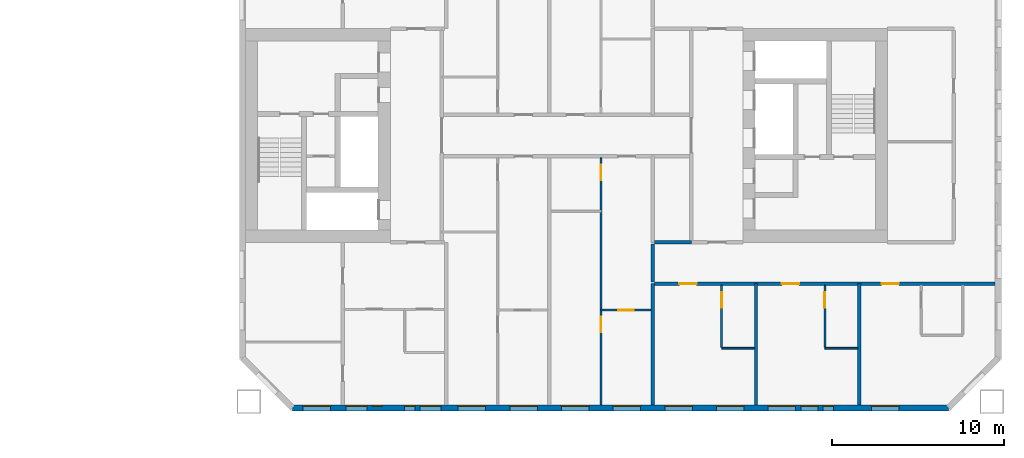
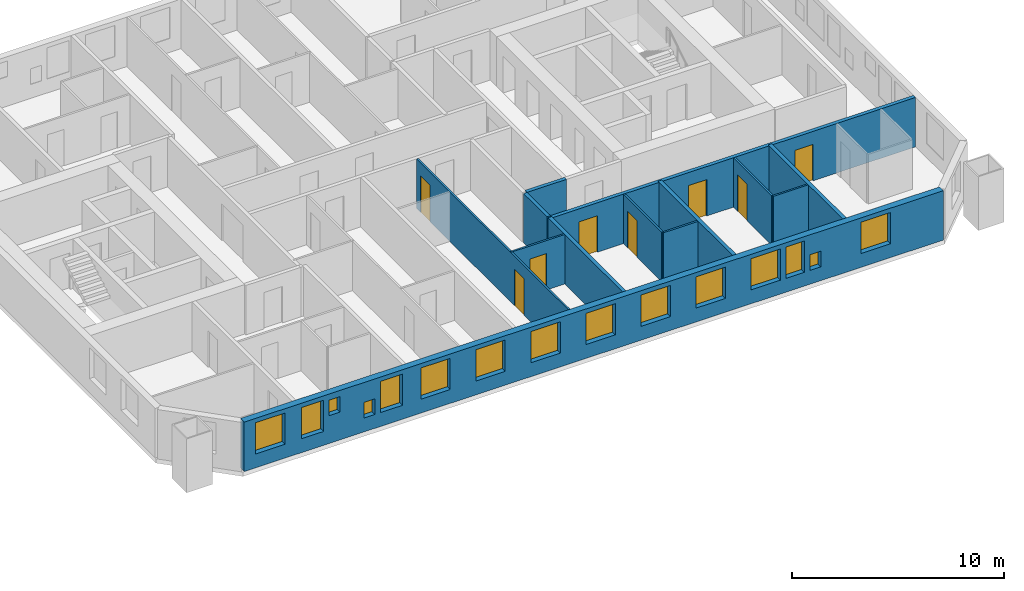
# One storey, part 11 of 17: 15 windows, 13 walls, 8 doors, 23 openings.
"""IFC4 building model written with IfcOpenShell, lengths in metres."""

from ifc_helpers import new_model, si_unit, direction, frame, frame_2d, origin, place, context, subcontext, project, spatial, rectangle, extrude, material, layer, layer_set, type_object, element, fill, save


model = new_model("IFC4")

# Units and contexts
model_context = context("Model", 3, precision=1e-05, world=origin(), true_north=direction((0.0, 1.0)))
body_context = subcontext(model_context, "Body", "Model", "MODEL_VIEW")
ifc_project = project(units=[si_unit("LENGTHUNIT", "METRE"), si_unit("AREAUNIT", "SQUARE_METRE"), si_unit("VOLUMEUNIT", "CUBIC_METRE"), si_unit("PLANEANGLEUNIT", "RADIAN"), si_unit("MASSUNIT", "GRAM", prefix="KILO")], contexts=[model_context])

# Site, building, storey
site_placement = place(None, origin())
site = spatial("IfcSite", under=ifc_project, at=site_placement, CompositionType="ELEMENT")
building_placement = place(site_placement, origin())
building = spatial("IfcBuilding", under=site, at=building_placement, Name="Tuart Gate Housing", CompositionType="ELEMENT")
storey_placement = place(building_placement, frame((0.0, 0.0, 74.699951171875)))
storey = spatial("IfcBuildingStorey", under=building, at=storey_placement, Name="L20", CompositionType="ELEMENT", Elevation=74.699951171875)

# Wall, openings, windows
ifc_material_1 = material(Name="Brick", Category="masonry")
ifc_layer_1 = layer(ifc_material_1, 0.360107421875)
ifc_layer_set_1 = layer_set([ifc_layer_1], Name="Brick pier and spandrel wall 360")
wall_type_1 = type_object("IfcWallType", Name="Brick pier and spandrel wall 360", PredefinedType="STANDARD", material=ifc_layer_set_1)
wall_1_placement = place(storey_placement, frame((134.07470703125, 54.179931640625, 0.0), z_axis=(0.0, 0.0, 1.0), x_axis=(1.0, 0.0, 0.0)))
wall_1 = element("IfcWall", 1, at=wall_1_placement, inside=storey, type_object=wall_type_1, Name="External wall B-S L20", PredefinedType="STANDARD", context=body_context, shape_type="SweptSolid", body=[
    extrude(rectangle(XDim=38.100830078125, YDim=0.360107421875, at=frame_2d((19.05029296875, 0.0))), origin(), (0.0, 0.0, 1.0), 2.85009765625),
])
opening_1_placement = place(wall_1_placement, frame((0.62548828125, 0.0, 0.800048828125)))
opening_1 = element("IfcOpeningElement", 2, at=opening_1_placement, cuts=wall_1, Name="Opening W1", PredefinedType="OPENING", context=body_context, shape_type="SweptSolid", body=[
    extrude(rectangle(XDim=1.60009765625, YDim=1.800048828125, at=frame_2d((0.800048828125, 0.89990234375))), frame((0.0, 0.18994140625, 0.0), z_axis=(0.0, -1.0, 0.0), x_axis=(1.0, 0.0, 0.0)), (0.0, 0.0, 1.0), 0.380126953125),
])
opening_2_placement = place(wall_1_placement, frame((3.12548828125, 0.0, 0.800048828125)))
opening_2 = element("IfcOpeningElement", 3, at=opening_2_placement, cuts=wall_1, Name="Opening W1B", PredefinedType="OPENING", context=body_context, shape_type="SweptSolid", body=[
    extrude(rectangle(XDim=1.199951171875, YDim=1.800048828125, at=frame_2d((0.60009765625, 0.89990234375))), frame((0.0, 0.18994140625, 0.0), z_axis=(0.0, -1.0, 0.0), x_axis=(1.0, 0.0, 0.0)), (0.0, 0.0, 1.0), 0.380126953125),
])
opening_3_placement = place(wall_1_placement, frame((4.62548828125, 0.0, 1.60009765625)))
opening_3 = element("IfcOpeningElement", 4, at=opening_3_placement, cuts=wall_1, Name="Opening W1W", PredefinedType="OPENING", context=body_context, shape_type="SweptSolid", body=[
    extrude(rectangle(XDim=0.60009765625, YDim=0.89990234375, at=frame_2d((0.300048828125, 0.449951171875))), frame((0.0, 0.18994140625, 0.0), z_axis=(0.0, -1.0, 0.0), x_axis=(1.0, 0.0, 0.0)), (0.0, 0.0, 1.0), 0.380126953125),
])
opening_4_placement = place(wall_1_placement, frame((9.62548828125, 0.0, 0.800048828125)))
opening_4 = element("IfcOpeningElement", 5, at=opening_4_placement, cuts=wall_1, Name="Opening W1", PredefinedType="OPENING", context=body_context, shape_type="SweptSolid", body=[
    extrude(rectangle(XDim=1.60009765625, YDim=1.800048828125, at=frame_2d((0.800048828125, 0.89990234375))), frame((0.0, 0.18994140625, 0.0), z_axis=(0.0, -1.0, 0.0), x_axis=(1.0, 0.0, 0.0)), (0.0, 0.0, 1.0), 0.380126953125),
])
opening_5_placement = place(wall_1_placement, frame((12.62548828125, 0.0, 0.800048828125)))
opening_5 = element("IfcOpeningElement", 6, at=opening_5_placement, cuts=wall_1, Name="Opening W1", PredefinedType="OPENING", context=body_context, shape_type="SweptSolid", body=[
    extrude(rectangle(XDim=1.60009765625, YDim=1.800048828125, at=frame_2d((0.800048828125, 0.89990234375))), frame((0.0, 0.18994140625, 0.0), z_axis=(0.0, -1.0, 0.0), x_axis=(1.0, 0.0, 0.0)), (0.0, 0.0, 1.0), 0.380126953125),
])
opening_6_placement = place(wall_1_placement, frame((15.62548828125, 0.0, 0.800048828125)))
opening_6 = element("IfcOpeningElement", 7, at=opening_6_placement, cuts=wall_1, Name="Opening W1", PredefinedType="OPENING", context=body_context, shape_type="SweptSolid", body=[
    extrude(rectangle(XDim=1.60009765625, YDim=1.800048828125, at=frame_2d((0.800048828125, 0.89990234375))), frame((0.0, 0.18994140625, 0.0), z_axis=(0.0, -1.0, 0.0), x_axis=(1.0, 0.0, 0.0)), (0.0, 0.0, 1.0), 0.380126953125),
])
opening_7_placement = place(wall_1_placement, frame((18.62548828125, 0.0, 0.800048828125)))
opening_7 = element("IfcOpeningElement", 8, at=opening_7_placement, cuts=wall_1, Name="Opening W1", PredefinedType="OPENING", context=body_context, shape_type="SweptSolid", body=[
    extrude(rectangle(XDim=1.60009765625, YDim=1.800048828125, at=frame_2d((0.800048828125, 0.89990234375))), frame((0.0, 0.18994140625, 0.0), z_axis=(0.0, -1.0, 0.0), x_axis=(1.0, 0.0, 0.0)), (0.0, 0.0, 1.0), 0.380126953125),
])
opening_8_placement = place(wall_1_placement, frame((21.62548828125, 0.0, 0.800048828125)))
opening_8 = element("IfcOpeningElement", 9, at=opening_8_placement, cuts=wall_1, Name="Opening W1", PredefinedType="OPENING", context=body_context, shape_type="SweptSolid", body=[
    extrude(rectangle(XDim=1.60009765625, YDim=1.800048828125, at=frame_2d((0.800048828125, 0.89990234375))), frame((0.0, 0.18994140625, 0.0), z_axis=(0.0, -1.0, 0.0), x_axis=(1.0, 0.0, 0.0)), (0.0, 0.0, 1.0), 0.380126953125),
])
opening_9_placement = place(wall_1_placement, frame((24.62548828125, 0.0, 0.800048828125)))
opening_9 = element("IfcOpeningElement", 10, at=opening_9_placement, cuts=wall_1, Name="Opening W1", PredefinedType="OPENING", context=body_context, shape_type="SweptSolid", body=[
    extrude(rectangle(XDim=1.60009765625, YDim=1.800048828125, at=frame_2d((0.800048828125, 0.89990234375))), frame((0.0, 0.18994140625, 0.0), z_axis=(0.0, -1.0, 0.0), x_axis=(1.0, 0.0, 0.0)), (0.0, 0.0, 1.0), 0.380126953125),
])
opening_10_placement = place(wall_1_placement, frame((27.62548828125, 0.0, 0.800048828125)))
opening_10 = element("IfcOpeningElement", 11, at=opening_10_placement, cuts=wall_1, Name="Opening W1", PredefinedType="OPENING", context=body_context, shape_type="SweptSolid", body=[
    extrude(rectangle(XDim=1.60009765625, YDim=1.800048828125, at=frame_2d((0.800048828125, 0.89990234375))), frame((0.0, 0.18994140625, 0.0), z_axis=(0.0, -1.0, 0.0), x_axis=(1.0, 0.0, 0.0)), (0.0, 0.0, 1.0), 0.380126953125),
])
opening_11_placement = place(wall_1_placement, frame((29.525390625, 0.0, 0.800048828125)))
opening_11 = element("IfcOpeningElement", 12, at=opening_11_placement, cuts=wall_1, Name="Opening W1C", PredefinedType="OPENING", context=body_context, shape_type="SweptSolid", body=[
    extrude(rectangle(XDim=1.0, YDim=1.800048828125, at=frame_2d((0.5, 0.89990234375))), frame((0.0, 0.18994140625, 0.0), z_axis=(0.0, -1.0, 0.0), x_axis=(1.0, 0.0, 0.0)), (0.0, 0.0, 1.0), 0.380126953125),
])
opening_12_placement = place(wall_1_placement, frame((33.62548828125, 0.0, 0.800048828125)))
opening_12 = element("IfcOpeningElement", 13, at=opening_12_placement, cuts=wall_1, Name="Opening W1", PredefinedType="OPENING", context=body_context, shape_type="SweptSolid", body=[
    extrude(rectangle(XDim=1.60009765625, YDim=1.800048828125, at=frame_2d((0.800048828125, 0.89990234375))), frame((0.0, 0.18994140625, 0.0), z_axis=(0.0, -1.0, 0.0), x_axis=(1.0, 0.0, 0.0)), (0.0, 0.0, 1.0), 0.380126953125),
])
opening_13_placement = place(wall_1_placement, frame((6.525390625, 0.0, 0.800048828125)))
opening_13 = element("IfcOpeningElement", 14, at=opening_13_placement, cuts=wall_1, Name="Opening W1W", PredefinedType="OPENING", context=body_context, shape_type="SweptSolid", body=[
    extrude(rectangle(XDim=0.60009765625, YDim=0.89990234375, at=frame_2d((0.300048828125, 0.449951171875))), frame((0.0, 0.18994140625, 0.0), z_axis=(0.0, -1.0, 0.0), x_axis=(1.0, 0.0, 0.0)), (0.0, 0.0, 1.0), 0.380126953125),
])
opening_14_placement = place(wall_1_placement, frame((7.42529296875, 0.0, 0.800048828125)))
opening_14 = element("IfcOpeningElement", 15, at=opening_14_placement, cuts=wall_1, Name="Opening W1B", PredefinedType="OPENING", context=body_context, shape_type="SweptSolid", body=[
    extrude(rectangle(XDim=1.199951171875, YDim=1.800048828125, at=frame_2d((0.60009765625, 0.89990234375))), frame((0.0, 0.18994140625, 0.0), z_axis=(0.0, -1.0, 0.0), x_axis=(1.0, 0.0, 0.0)), (0.0, 0.0, 1.0), 0.380126953125),
])
opening_15_placement = place(wall_1_placement, frame((30.825439453125, 0.0, 0.800048828125)))
opening_15 = element("IfcOpeningElement", 16, at=opening_15_placement, cuts=wall_1, Name="Opening W1W", PredefinedType="OPENING", context=body_context, shape_type="SweptSolid", body=[
    extrude(rectangle(XDim=0.60009765625, YDim=0.89990234375, at=frame_2d((0.300048828125, 0.449951171875))), frame((0.0, 0.18994140625, 0.0), z_axis=(0.0, -1.0, 0.0), x_axis=(1.0, 0.0, 0.0)), (0.0, 0.0, 1.0), 0.380126953125),
])
ifc_material_2 = material(Name="Aluminium frame with clear glass", Category="aluminium")
window_type_1 = type_object("IfcWindowType", Name="Punched window 1000 x 1800", PartitioningType="SINGLE_PANEL", PredefinedType="WINDOW", material=ifc_material_2)
window_1_placement = place(opening_11_placement, origin())
window_1 = element("IfcWindow", 17, at=window_1_placement, inside=storey, type_object=window_type_1, Name="Window W1C", OverallHeight=1.800048828125, OverallWidth=1.0, PartitioningType="SINGLE_PANEL", PredefinedType="WINDOW", context=body_context, shape_type="SweptSolid", body=[
    extrude(rectangle(XDim=1.0, YDim=1.800048828125, at=frame_2d((0.5, 0.89990234375))), frame((0.0, 0.150146484375, 0.0), z_axis=(0.0, -1.0, 0.0), x_axis=(1.0, 0.0, 0.0)), (0.0, 0.0, 1.0), 0.06005859375),
])
fill(opening_11, window_1)
ifc_material_3 = material(Name="Aluminium frame with clear glass", Category="aluminium")
window_type_2 = type_object("IfcWindowType", Name="Punched window 1200 x 1800", PartitioningType="SINGLE_PANEL", PredefinedType="WINDOW", material=ifc_material_3)
window_2_placement = place(opening_2_placement, origin())
window_2 = element("IfcWindow", 18, at=window_2_placement, inside=storey, type_object=window_type_2, Name="Window W1B", OverallHeight=1.800048828125, OverallWidth=1.199951171875, PartitioningType="SINGLE_PANEL", PredefinedType="WINDOW", context=body_context, shape_type="SweptSolid", body=[
    extrude(rectangle(XDim=1.199951171875, YDim=1.800048828125, at=frame_2d((0.60009765625, 0.89990234375))), frame((0.0, 0.150146484375, 0.0), z_axis=(0.0, -1.0, 0.0), x_axis=(1.0, 0.0, 0.0)), (0.0, 0.0, 1.0), 0.06005859375),
])
fill(opening_2, window_2)
window_3_placement = place(opening_14_placement, origin())
window_3 = element("IfcWindow", 19, at=window_3_placement, inside=storey, type_object=window_type_2, Name="Window W1B", OverallHeight=1.800048828125, OverallWidth=1.199951171875, PartitioningType="SINGLE_PANEL", PredefinedType="WINDOW", context=body_context, shape_type="SweptSolid", body=[
    extrude(rectangle(XDim=1.199951171875, YDim=1.800048828125, at=frame_2d((0.60009765625, 0.89990234375))), frame((0.0, 0.150146484375, 0.0), z_axis=(0.0, -1.0, 0.0), x_axis=(1.0, 0.0, 0.0)), (0.0, 0.0, 1.0), 0.06005859375),
])
fill(opening_14, window_3)
ifc_material_4 = material(Name="Aluminium frame with clear glass", Category="aluminium")
window_type_3 = type_object("IfcWindowType", Name="Punched window 1600 x 1800", PartitioningType="SINGLE_PANEL", PredefinedType="WINDOW", material=ifc_material_4)
window_4_placement = place(opening_1_placement, origin())
window_4 = element("IfcWindow", 20, at=window_4_placement, inside=storey, type_object=window_type_3, Name="Window W1", OverallHeight=1.800048828125, OverallWidth=1.60009765625, PartitioningType="SINGLE_PANEL", PredefinedType="WINDOW", context=body_context, shape_type="SweptSolid", body=[
    extrude(rectangle(XDim=1.60009765625, YDim=1.800048828125, at=frame_2d((0.800048828125, 0.89990234375))), frame((0.0, 0.150146484375, 0.0), z_axis=(0.0, -1.0, 0.0), x_axis=(1.0, 0.0, 0.0)), (0.0, 0.0, 1.0), 0.06005859375),
])
fill(opening_1, window_4)
window_5_placement = place(opening_4_placement, origin())
window_5 = element("IfcWindow", 21, at=window_5_placement, inside=storey, type_object=window_type_3, Name="Window W1", OverallHeight=1.800048828125, OverallWidth=1.60009765625, PartitioningType="SINGLE_PANEL", PredefinedType="WINDOW", context=body_context, shape_type="SweptSolid", body=[
    extrude(rectangle(XDim=1.60009765625, YDim=1.800048828125, at=frame_2d((0.800048828125, 0.89990234375))), frame((0.0, 0.150146484375, 0.0), z_axis=(0.0, -1.0, 0.0), x_axis=(1.0, 0.0, 0.0)), (0.0, 0.0, 1.0), 0.06005859375),
])
fill(opening_4, window_5)
window_6_placement = place(opening_5_placement, origin())
window_6 = element("IfcWindow", 22, at=window_6_placement, inside=storey, type_object=window_type_3, Name="Window W1", OverallHeight=1.800048828125, OverallWidth=1.60009765625, PartitioningType="SINGLE_PANEL", PredefinedType="WINDOW", context=body_context, shape_type="SweptSolid", body=[
    extrude(rectangle(XDim=1.60009765625, YDim=1.800048828125, at=frame_2d((0.800048828125, 0.89990234375))), frame((0.0, 0.150146484375, 0.0), z_axis=(0.0, -1.0, 0.0), x_axis=(1.0, 0.0, 0.0)), (0.0, 0.0, 1.0), 0.06005859375),
])
fill(opening_5, window_6)
window_7_placement = place(opening_6_placement, origin())
window_7 = element("IfcWindow", 23, at=window_7_placement, inside=storey, type_object=window_type_3, Name="Window W1", OverallHeight=1.800048828125, OverallWidth=1.60009765625, PartitioningType="SINGLE_PANEL", PredefinedType="WINDOW", context=body_context, shape_type="SweptSolid", body=[
    extrude(rectangle(XDim=1.60009765625, YDim=1.800048828125, at=frame_2d((0.800048828125, 0.89990234375))), frame((0.0, 0.150146484375, 0.0), z_axis=(0.0, -1.0, 0.0), x_axis=(1.0, 0.0, 0.0)), (0.0, 0.0, 1.0), 0.06005859375),
])
fill(opening_6, window_7)
window_8_placement = place(opening_7_placement, origin())
window_8 = element("IfcWindow", 24, at=window_8_placement, inside=storey, type_object=window_type_3, Name="Window W1", OverallHeight=1.800048828125, OverallWidth=1.60009765625, PartitioningType="SINGLE_PANEL", PredefinedType="WINDOW", context=body_context, shape_type="SweptSolid", body=[
    extrude(rectangle(XDim=1.60009765625, YDim=1.800048828125, at=frame_2d((0.800048828125, 0.89990234375))), frame((0.0, 0.150146484375, 0.0), z_axis=(0.0, -1.0, 0.0), x_axis=(1.0, 0.0, 0.0)), (0.0, 0.0, 1.0), 0.06005859375),
])
fill(opening_7, window_8)
window_9_placement = place(opening_8_placement, origin())
window_9 = element("IfcWindow", 25, at=window_9_placement, inside=storey, type_object=window_type_3, Name="Window W1", OverallHeight=1.800048828125, OverallWidth=1.60009765625, PartitioningType="SINGLE_PANEL", PredefinedType="WINDOW", context=body_context, shape_type="SweptSolid", body=[
    extrude(rectangle(XDim=1.60009765625, YDim=1.800048828125, at=frame_2d((0.800048828125, 0.89990234375))), frame((0.0, 0.150146484375, 0.0), z_axis=(0.0, -1.0, 0.0), x_axis=(1.0, 0.0, 0.0)), (0.0, 0.0, 1.0), 0.06005859375),
])
fill(opening_8, window_9)
window_10_placement = place(opening_9_placement, origin())
window_10 = element("IfcWindow", 26, at=window_10_placement, inside=storey, type_object=window_type_3, Name="Window W1", OverallHeight=1.800048828125, OverallWidth=1.60009765625, PartitioningType="SINGLE_PANEL", PredefinedType="WINDOW", context=body_context, shape_type="SweptSolid", body=[
    extrude(rectangle(XDim=1.60009765625, YDim=1.800048828125, at=frame_2d((0.800048828125, 0.89990234375))), frame((0.0, 0.150146484375, 0.0), z_axis=(0.0, -1.0, 0.0), x_axis=(1.0, 0.0, 0.0)), (0.0, 0.0, 1.0), 0.06005859375),
])
fill(opening_9, window_10)
window_11_placement = place(opening_10_placement, origin())
window_11 = element("IfcWindow", 27, at=window_11_placement, inside=storey, type_object=window_type_3, Name="Window W1", OverallHeight=1.800048828125, OverallWidth=1.60009765625, PartitioningType="SINGLE_PANEL", PredefinedType="WINDOW", context=body_context, shape_type="SweptSolid", body=[
    extrude(rectangle(XDim=1.60009765625, YDim=1.800048828125, at=frame_2d((0.800048828125, 0.89990234375))), frame((0.0, 0.150146484375, 0.0), z_axis=(0.0, -1.0, 0.0), x_axis=(1.0, 0.0, 0.0)), (0.0, 0.0, 1.0), 0.06005859375),
])
fill(opening_10, window_11)
window_12_placement = place(opening_12_placement, origin())
window_12 = element("IfcWindow", 28, at=window_12_placement, inside=storey, type_object=window_type_3, Name="Window W1", OverallHeight=1.800048828125, OverallWidth=1.60009765625, PartitioningType="SINGLE_PANEL", PredefinedType="WINDOW", context=body_context, shape_type="SweptSolid", body=[
    extrude(rectangle(XDim=1.60009765625, YDim=1.800048828125, at=frame_2d((0.800048828125, 0.89990234375))), frame((0.0, 0.150146484375, 0.0), z_axis=(0.0, -1.0, 0.0), x_axis=(1.0, 0.0, 0.0)), (0.0, 0.0, 1.0), 0.06005859375),
])
fill(opening_12, window_12)
ifc_material_5 = material(Name="Aluminium frame with clear glass", Category="aluminium")
window_type_4 = type_object("IfcWindowType", Name="Punched window 600 x 900", PartitioningType="SINGLE_PANEL", PredefinedType="WINDOW", material=ifc_material_5)
window_13_placement = place(opening_3_placement, origin())
window_13 = element("IfcWindow", 29, at=window_13_placement, inside=storey, type_object=window_type_4, Name="Window W1W", OverallHeight=0.89990234375, OverallWidth=0.60009765625, PartitioningType="SINGLE_PANEL", PredefinedType="WINDOW", context=body_context, shape_type="SweptSolid", body=[
    extrude(rectangle(XDim=0.60009765625, YDim=0.89990234375, at=frame_2d((0.300048828125, 0.449951171875))), frame((0.0, 0.150146484375, 0.0), z_axis=(0.0, -1.0, 0.0), x_axis=(1.0, 0.0, 0.0)), (0.0, 0.0, 1.0), 0.06005859375),
])
fill(opening_3, window_13)
window_14_placement = place(opening_13_placement, origin())
window_14 = element("IfcWindow", 30, at=window_14_placement, inside=storey, type_object=window_type_4, Name="Window W1W", OverallHeight=0.89990234375, OverallWidth=0.60009765625, PartitioningType="SINGLE_PANEL", PredefinedType="WINDOW", context=body_context, shape_type="SweptSolid", body=[
    extrude(rectangle(XDim=0.60009765625, YDim=0.89990234375, at=frame_2d((0.300048828125, 0.449951171875))), frame((0.0, 0.150146484375, 0.0), z_axis=(0.0, -1.0, 0.0), x_axis=(1.0, 0.0, 0.0)), (0.0, 0.0, 1.0), 0.06005859375),
])
fill(opening_13, window_14)
window_15_placement = place(opening_15_placement, origin())
window_15 = element("IfcWindow", 31, at=window_15_placement, inside=storey, type_object=window_type_4, Name="Window W1W", OverallHeight=0.89990234375, OverallWidth=0.60009765625, PartitioningType="SINGLE_PANEL", PredefinedType="WINDOW", context=body_context, shape_type="SweptSolid", body=[
    extrude(rectangle(XDim=0.60009765625, YDim=0.89990234375, at=frame_2d((0.300048828125, 0.449951171875))), frame((0.0, 0.150146484375, 0.0), z_axis=(0.0, -1.0, 0.0), x_axis=(1.0, 0.0, 0.0)), (0.0, 0.0, 1.0), 0.06005859375),
])
fill(opening_15, window_15)

# Wall, openings, doors
ifc_material_6 = material(Name="Concrete masonry 15 MPa", Category="masonry")
ifc_layer_2 = layer(ifc_material_6, 0.199951171875)
ifc_layer_set_2 = layer_set([ifc_layer_2], Name="Corridor wall masonry 200")
wall_type_2 = type_object("IfcWallType", Name="Corridor wall masonry 200", PredefinedType="PARTITIONING", material=ifc_layer_set_2)
wall_2_placement = place(storey_placement, frame((155.10009765625, 61.39990234375, 0.0), z_axis=(0.0, 0.0, 1.0), x_axis=(1.0, 0.0, 0.0)))
wall_2 = element("IfcWall", 32, at=wall_2_placement, inside=storey, type_object=wall_type_2, Name="Corridor wall masonry 200", PredefinedType="PARTITIONING", context=body_context, shape_type="SweptSolid", body=[
    extrude(rectangle(XDim=19.789794921875, YDim=0.199951171875, at=frame_2d((9.89501953125, 0.0))), origin(), (0.0, 0.0, 1.0), 2.85009765625),
])
opening_16_placement = place(wall_2_placement, frame((1.449951171875, 0.0, 0.0)))
opening_16 = element("IfcOpeningElement", 33, at=opening_16_placement, cuts=wall_2, Name="Opening D938", PredefinedType="OPENING", context=body_context, shape_type="SweptSolid", body=[
    extrude(rectangle(XDim=1.0, YDim=2.10009765625, at=frame_2d((0.5, 1.050048828125))), frame((0.0, 0.10986328125, 0.0), z_axis=(0.0, -1.0, 0.0), x_axis=(1.0, 0.0, 0.0)), (0.0, 0.0, 1.0), 0.219970703125),
])
opening_17_placement = place(wall_2_placement, frame((7.39990234375, 0.0, 0.0)))
opening_17 = element("IfcOpeningElement", 34, at=opening_17_placement, cuts=wall_2, Name="Opening D939", PredefinedType="OPENING", context=body_context, shape_type="SweptSolid", body=[
    extrude(rectangle(XDim=1.0, YDim=2.10009765625, at=frame_2d((0.5, 1.050048828125))), frame((0.0, 0.10986328125, 0.0), z_axis=(0.0, -1.0, 0.0), x_axis=(1.0, 0.0, 0.0)), (0.0, 0.0, 1.0), 0.219970703125),
])
opening_18_placement = place(wall_2_placement, frame((13.199951171875, 0.0, 0.0)))
opening_18 = element("IfcOpeningElement", 35, at=opening_18_placement, cuts=wall_2, Name="Opening D940", PredefinedType="OPENING", context=body_context, shape_type="SweptSolid", body=[
    extrude(rectangle(XDim=1.0, YDim=2.10009765625, at=frame_2d((0.5, 1.050048828125))), frame((0.0, 0.10986328125, 0.0), z_axis=(0.0, -1.0, 0.0), x_axis=(1.0, 0.0, 0.0)), (0.0, 0.0, 1.0), 0.219970703125),
])
ifc_material_7 = material(Name="Timber door leaf in steel frame", Category="steel")
door_type_1 = type_object("IfcDoorType", Name="Flat entrance door 1000", OperationType="SINGLE_SWING_LEFT", PredefinedType="DOOR", material=ifc_material_7)
door_1_placement = place(opening_16_placement, frame((1.0, 0.0, 0.0), z_axis=(0.0, 0.0, 1.0), x_axis=(-1.0, 0.0, 0.0)))
door_1 = element("IfcDoor", 36, at=door_1_placement, inside=storey, type_object=door_type_1, Name="Flat entrance door", OperationType="SINGLE_SWING_LEFT", OverallHeight=2.10009765625, OverallWidth=1.0, PredefinedType="DOOR", context=body_context, shape_type="SweptSolid", body=[
    extrude(rectangle(XDim=1.0, YDim=2.10009765625, at=frame_2d((0.5, 1.050048828125))), frame((0.0, 0.025146484375, 0.0), z_axis=(0.0, -1.0, 0.0), x_axis=(1.0, 0.0, 0.0)), (0.0, 0.0, 1.0), 0.050048828125),
])
fill(opening_16, door_1)
ifc_material_8 = material(Name="Timber door leaf in steel frame", Category="steel")
door_type_2 = type_object("IfcDoorType", Name="Flat entrance door 1000 RH", OperationType="SINGLE_SWING_RIGHT", PredefinedType="DOOR", material=ifc_material_8)
door_2_placement = place(opening_17_placement, frame((1.0, 0.0, 0.0), z_axis=(0.0, 0.0, 1.0), x_axis=(-1.0, 0.0, 0.0)))
door_2 = element("IfcDoor", 37, at=door_2_placement, inside=storey, type_object=door_type_2, Name="Flat entrance door", OperationType="SINGLE_SWING_RIGHT", OverallHeight=2.10009765625, OverallWidth=1.0, PredefinedType="DOOR", context=body_context, shape_type="SweptSolid", body=[
    extrude(rectangle(XDim=1.0, YDim=2.10009765625, at=frame_2d((0.5, 1.050048828125))), frame((0.0, 0.025146484375, 0.0), z_axis=(0.0, -1.0, 0.0), x_axis=(1.0, 0.0, 0.0)), (0.0, 0.0, 1.0), 0.050048828125),
])
fill(opening_17, door_2)
door_3_placement = place(opening_18_placement, frame((1.0, 0.0, 0.0), z_axis=(0.0, 0.0, 1.0), x_axis=(-1.0, 0.0, 0.0)))
door_3 = element("IfcDoor", 38, at=door_3_placement, inside=storey, type_object=door_type_2, Name="Flat entrance door", OperationType="SINGLE_SWING_RIGHT", OverallHeight=2.10009765625, OverallWidth=1.0, PredefinedType="DOOR", context=body_context, shape_type="SweptSolid", body=[
    extrude(rectangle(XDim=1.0, YDim=2.10009765625, at=frame_2d((0.5, 1.050048828125))), frame((0.0, 0.025146484375, 0.0), z_axis=(0.0, -1.0, 0.0), x_axis=(1.0, 0.0, 0.0)), (0.0, 0.0, 1.0), 0.050048828125),
])
fill(opening_18, door_3)

# Walls
wall_3_placement = place(storey_placement, frame((155.10009765625, 63.800048828125, 0.0), z_axis=(0.0, 0.0, 1.0), x_axis=(1.0, 0.0, 0.0)))
element("IfcWall", 39, at=wall_3_placement, inside=storey, type_object=wall_type_2, Name="Corridor wall masonry 200", PredefinedType="PARTITIONING", context=body_context, shape_type="SweptSolid", body=[
    extrude(rectangle(XDim=2.139892578125, YDim=0.199951171875, at=frame_2d((1.06982421875, 0.0))), origin(), (0.0, 0.0, 1.0), 2.85009765625),
])
wall_4_placement = place(storey_placement, frame((155.0, 61.5, 0.0), z_axis=(0.0, 0.0, 1.0), x_axis=(0.0, 1.0, 0.0)))
element("IfcWall", 40, at=wall_4_placement, inside=storey, type_object=wall_type_2, Name="Corridor wall masonry 200", PredefinedType="PARTITIONING", context=body_context, shape_type="SweptSolid", body=[
    extrude(rectangle(XDim=2.199951171875, YDim=0.199951171875, at=frame_2d((1.10009765625, 0.0))), origin(), (0.0, 0.0, 1.0), 2.85009765625),
])
ifc_material_9 = material(Name="Gypsum board on steel studs", Category="steel")
ifc_layer_3 = layer(ifc_material_9, 0.10009765625)
ifc_layer_set_3 = layer_set([ifc_layer_3], Name="Partition 100")
wall_type_3 = type_object("IfcWallType", Name="Partition 100", PredefinedType="PARTITIONING", material=ifc_layer_set_3)
for number, where, z_axis, x_axis, name in (
    (41, (159.0, 57.64990234375, 0.0), (0.0, 0.0, 1.0), (1.0, 0.0, 0.0), "Partition 100"),
    (42, (165.0, 57.64990234375, 0.0), (0.0, 0.0, 1.0), (1.0, 0.0, 0.0), "Partition 100"),
):
    element("IfcWall", number, at=place(storey_placement, frame(where, z_axis=z_axis, x_axis=x_axis)), inside=storey, type_object=wall_type_3, Name=name, PredefinedType="PARTITIONING", context=body_context, shape_type="SweptSolid", body=[
        extrude(rectangle(XDim=1.89990234375, YDim=0.10009765625, at=frame_2d((0.949951171875, 0.0))), origin(), (0.0, 0.0, 1.0), 2.85009765625),
    ])

# Wall, opening, door
wall_5_placement = place(storey_placement, frame((152.0, 59.860107421875, 0.0), z_axis=(0.0, 0.0, 1.0), x_axis=(1.0, 0.0, 0.0)))
wall_5 = element("IfcWall", 43, at=wall_5_placement, inside=storey, type_object=wall_type_3, Name="Partition 100", PredefinedType="PARTITIONING", context=body_context, shape_type="SweptSolid", body=[
    extrude(rectangle(XDim=2.89990234375, YDim=0.10009765625, at=frame_2d((1.449951171875, 0.0))), origin(), (0.0, 0.0, 1.0), 2.85009765625),
])
opening_19_placement = place(wall_5_placement, frame((1.0, 0.0, 0.0)))
opening_19 = element("IfcOpeningElement", 44, at=opening_19_placement, cuts=wall_5, Name="Opening D945", PredefinedType="OPENING", context=body_context, shape_type="SweptSolid", body=[
    extrude(rectangle(XDim=0.89990234375, YDim=2.10009765625, at=frame_2d((0.449951171875, 1.050048828125))), frame((0.0, 0.06005859375, 0.0), z_axis=(0.0, -1.0, 0.0), x_axis=(1.0, 0.0, 0.0)), (0.0, 0.0, 1.0), 0.1201171875),
])
ifc_material_10 = material(Name="Timber door leaf in steel frame", Category="steel")
door_type_3 = type_object("IfcDoorType", Name="Internal door 900", OperationType="SINGLE_SWING_LEFT", PredefinedType="DOOR", material=ifc_material_10)
door_4_placement = place(opening_19_placement, origin())
door_4 = element("IfcDoor", 45, at=door_4_placement, inside=storey, type_object=door_type_3, Name="Internal door", OperationType="SINGLE_SWING_LEFT", OverallHeight=2.10009765625, OverallWidth=0.89990234375, PredefinedType="DOOR", context=body_context, shape_type="SweptSolid", body=[
    extrude(rectangle(XDim=0.89990234375, YDim=2.10009765625, at=frame_2d((0.449951171875, 1.050048828125))), frame((0.0, 0.02490234375, 0.0), z_axis=(0.0, -1.0, 0.0), x_axis=(1.0, 0.0, 0.0)), (0.0, 0.0, 1.0), 0.050048828125),
])
fill(opening_19, door_4)

# Wall, openings, doors
wall_6_placement = place(storey_placement, frame((152.0, 54.360107421875, 0.0), z_axis=(0.0, 0.0, 1.0), x_axis=(0.0, 1.0, 0.0)))
wall_6 = element("IfcWall", 46, at=wall_6_placement, inside=storey, type_object=wall_type_3, Name="Partition 100", PredefinedType="PARTITIONING", context=body_context, shape_type="SweptSolid", body=[
    extrude(rectangle(XDim=14.33984375, YDim=0.10009765625, at=frame_2d((7.169921875, 0.0))), origin(), (0.0, 0.0, 1.0), 2.85009765625),
])
opening_20_placement = place(wall_6_placement, frame((4.199951171875, 0.0, 0.0)))
opening_20 = element("IfcOpeningElement", 47, at=opening_20_placement, cuts=wall_6, Name="Opening D937", PredefinedType="OPENING", context=body_context, shape_type="SweptSolid", body=[
    extrude(rectangle(XDim=0.89990234375, YDim=2.10009765625, at=frame_2d((0.449951171875, 1.050048828125))), frame((0.0, 0.06005859375, 0.0), z_axis=(0.0, -1.0, 0.0), x_axis=(1.0, 0.0, 0.0)), (0.0, 0.0, 1.0), 0.1201171875),
])
opening_21_placement = place(wall_6_placement, frame((13.0400390625, 0.0, 0.0)))
opening_21 = element("IfcOpeningElement", 48, at=opening_21_placement, cuts=wall_6, Name="Opening D936", PredefinedType="OPENING", context=body_context, shape_type="SweptSolid", body=[
    extrude(rectangle(XDim=0.89990234375, YDim=2.10009765625, at=frame_2d((0.449951171875, 1.050048828125))), frame((0.0, 0.06005859375, 0.0), z_axis=(0.0, -1.0, 0.0), x_axis=(1.0, 0.0, 0.0)), (0.0, 0.0, 1.0), 0.1201171875),
])
ifc_material_11 = material(Name="Timber door leaf in steel frame", Category="steel")
door_type_4 = type_object("IfcDoorType", Name="Bathroom door 900 RH", OperationType="SINGLE_SWING_RIGHT", PredefinedType="DOOR", material=ifc_material_11)
door_5_placement = place(opening_21_placement, origin())
door_5 = element("IfcDoor", 49, at=door_5_placement, inside=storey, type_object=door_type_4, Name="Bathroom door", OperationType="SINGLE_SWING_RIGHT", OverallHeight=2.10009765625, OverallWidth=0.89990234375, PredefinedType="DOOR", context=body_context, shape_type="SweptSolid", body=[
    extrude(rectangle(XDim=0.89990234375, YDim=2.10009765625, at=frame_2d((0.449951171875, 1.050048828125))), frame((0.0, 0.02490234375, 0.0), z_axis=(0.0, -1.0, 0.0), x_axis=(1.0, 0.0, 0.0)), (0.0, 0.0, 1.0), 0.050048828125),
])
fill(opening_21, door_5)
door_6_placement = place(opening_20_placement, origin())
door_6 = element("IfcDoor", 50, at=door_6_placement, inside=storey, type_object=door_type_3, Name="Internal door", OperationType="SINGLE_SWING_LEFT", OverallHeight=2.10009765625, OverallWidth=0.89990234375, PredefinedType="DOOR", context=body_context, shape_type="SweptSolid", body=[
    extrude(rectangle(XDim=0.89990234375, YDim=2.10009765625, at=frame_2d((0.449951171875, 1.050048828125))), frame((0.0, 0.02490234375, 0.0), z_axis=(0.0, -1.0, 0.0), x_axis=(1.0, 0.0, 0.0)), (0.0, 0.0, 1.0), 0.050048828125),
])
fill(opening_20, door_6)

# Wall, opening, door
wall_7_placement = place(storey_placement, frame((159.0, 57.699951171875, 0.0), z_axis=(0.0, 0.0, 1.0), x_axis=(0.0, 1.0, 0.0)))
wall_7 = element("IfcWall", 51, at=wall_7_placement, inside=storey, type_object=wall_type_3, Name="Partition 100", PredefinedType="PARTITIONING", context=body_context, shape_type="SweptSolid", body=[
    extrude(rectangle(XDim=3.60009765625, YDim=0.10009765625, at=frame_2d((1.800048828125, 0.0))), origin(), (0.0, 0.0, 1.0), 2.85009765625),
])
opening_22_placement = place(wall_7_placement, frame((2.300048828125, 0.0, 0.0)))
opening_22 = element("IfcOpeningElement", 52, at=opening_22_placement, cuts=wall_7, Name="Opening D946", PredefinedType="OPENING", context=body_context, shape_type="SweptSolid", body=[
    extrude(rectangle(XDim=0.89990234375, YDim=2.10009765625, at=frame_2d((0.449951171875, 1.050048828125))), frame((0.0, 0.06005859375, 0.0), z_axis=(0.0, -1.0, 0.0), x_axis=(1.0, 0.0, 0.0)), (0.0, 0.0, 1.0), 0.1201171875),
])
ifc_material_12 = material(Name="Timber door leaf in steel frame", Category="steel")
door_type_5 = type_object("IfcDoorType", Name="Bathroom door 900", OperationType="SINGLE_SWING_LEFT", PredefinedType="DOOR", material=ifc_material_12)
door_7_placement = place(opening_22_placement, frame((0.89990234375, 0.0, 0.0), z_axis=(0.0, 0.0, 1.0), x_axis=(-1.0, 0.0, 0.0)))
door_7 = element("IfcDoor", 53, at=door_7_placement, inside=storey, type_object=door_type_5, Name="Bathroom door", OperationType="SINGLE_SWING_LEFT", OverallHeight=2.10009765625, OverallWidth=0.89990234375, PredefinedType="DOOR", context=body_context, shape_type="SweptSolid", body=[
    extrude(rectangle(XDim=0.89990234375, YDim=2.10009765625, at=frame_2d((0.449951171875, 1.050048828125))), frame((0.0, 0.025146484375, 0.0), z_axis=(0.0, -1.0, 0.0), x_axis=(1.0, 0.0, 0.0)), (0.0, 0.0, 1.0), 0.050048828125),
])
fill(opening_22, door_7)

wall_8_placement = place(storey_placement, frame((165.0, 57.699951171875, 0.0), z_axis=(0.0, 0.0, 1.0), x_axis=(0.0, 1.0, 0.0)))
wall_8 = element("IfcWall", 54, at=wall_8_placement, inside=storey, type_object=wall_type_3, Name="Partition 100", PredefinedType="PARTITIONING", context=body_context, shape_type="SweptSolid", body=[
    extrude(rectangle(XDim=3.60009765625, YDim=0.10009765625, at=frame_2d((1.800048828125, 0.0))), origin(), (0.0, 0.0, 1.0), 2.85009765625),
])
opening_23_placement = place(wall_8_placement, frame((2.300048828125, 0.0, 0.0)))
opening_23 = element("IfcOpeningElement", 55, at=opening_23_placement, cuts=wall_8, Name="Opening D947", PredefinedType="OPENING", context=body_context, shape_type="SweptSolid", body=[
    extrude(rectangle(XDim=0.89990234375, YDim=2.10009765625, at=frame_2d((0.449951171875, 1.050048828125))), frame((0.0, 0.06005859375, 0.0), z_axis=(0.0, -1.0, 0.0), x_axis=(1.0, 0.0, 0.0)), (0.0, 0.0, 1.0), 0.1201171875),
])
door_8_placement = place(opening_23_placement, frame((0.89990234375, 0.0, 0.0), z_axis=(0.0, 0.0, 1.0), x_axis=(-1.0, 0.0, 0.0)))
door_8 = element("IfcDoor", 56, at=door_8_placement, inside=storey, type_object=door_type_5, Name="Bathroom door", OperationType="SINGLE_SWING_LEFT", OverallHeight=2.10009765625, OverallWidth=0.89990234375, PredefinedType="DOOR", context=body_context, shape_type="SweptSolid", body=[
    extrude(rectangle(XDim=0.89990234375, YDim=2.10009765625, at=frame_2d((0.449951171875, 1.050048828125))), frame((0.0, 0.025146484375, 0.0), z_axis=(0.0, -1.0, 0.0), x_axis=(1.0, 0.0, 0.0)), (0.0, 0.0, 1.0), 0.050048828125),
])
fill(opening_23, door_8)

# Walls
ifc_material_13 = material(Name="Concrete C40", Category="concrete")
ifc_layer_4 = layer(ifc_material_13, 0.199951171875)
ifc_layer_set_4 = layer_set([ifc_layer_4], Name="Party wall concrete C40 200")
wall_type_4 = type_object("IfcWallType", Name="Party wall concrete C40 200", PredefinedType="SOLIDWALL", material=ifc_layer_set_4)
for number, where, z_axis, x_axis, name in (
    (57, (155.0, 54.360107421875, 0.0), (0.0, 0.0, 1.0), (0.0, 1.0, 0.0), "Party wall concrete C40 200"),
    (58, (161.0, 54.360107421875, 0.0), (0.0, 0.0, 1.0), (0.0, 1.0, 0.0), "Party wall concrete C40 200"),
    (59, (167.0, 54.360107421875, 0.0), (0.0, 0.0, 1.0), (0.0, 1.0, 0.0), "Party wall concrete C40 200"),
):
    element("IfcWall", number, at=place(storey_placement, frame(where, z_axis=z_axis, x_axis=x_axis)), inside=storey, type_object=wall_type_4, Name=name, PredefinedType="SOLIDWALL", context=body_context, shape_type="SweptSolid", body=[
        extrude(rectangle(XDim=7.039794921875, YDim=0.199951171875, at=frame_2d((3.52001953125, 0.0))), origin(), (0.0, 0.0, 1.0), 2.85009765625),
    ])

save(model, "model.ifc")
